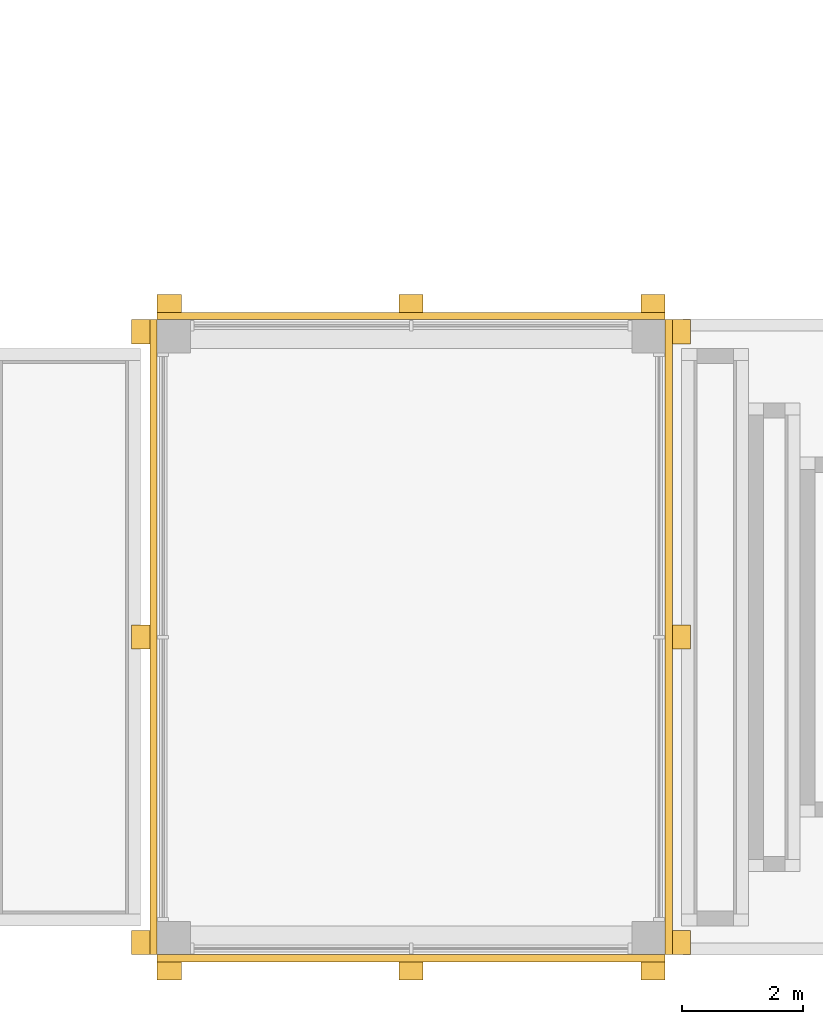
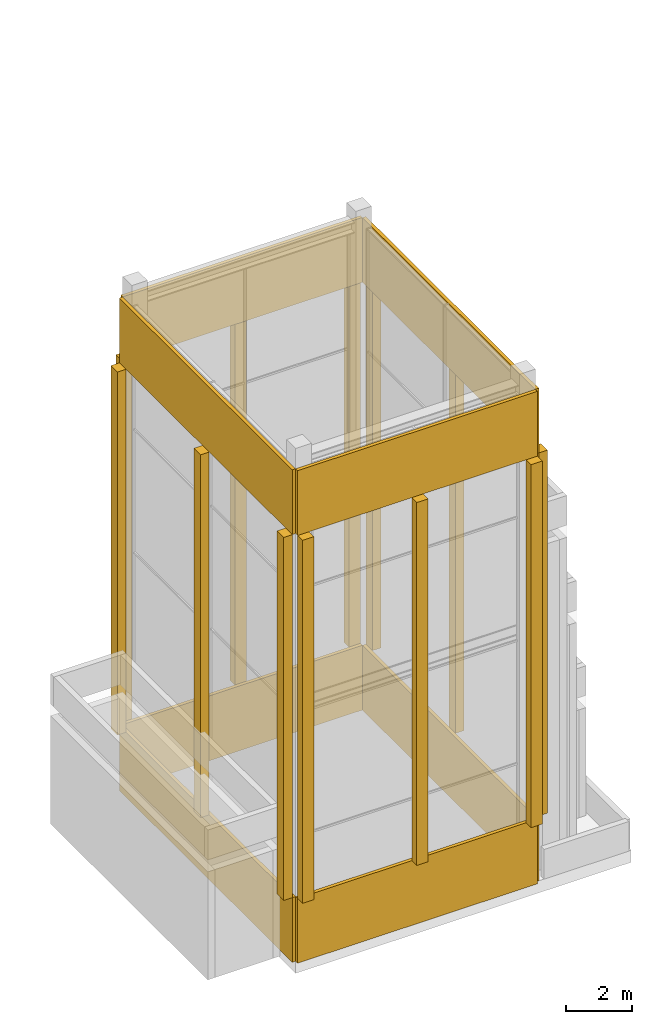
# One storey, part 4 of 4: 20 coverings.
"""IFC4 building model written with IfcOpenShell, lengths in metres."""

import ifcopenshell
import ifcopenshell.guid

model = None  # the IFC model being written
_history = None  # IfcOwnerHistory: only IFC2X3 demands one
_inside = {}  # id of a spatial element -> (the spatial element, [elements in it])
_under = {}  # id of a project, library or spatial element -> (it, [spatial elements below it])
_declared = {}  # id of a project -> (the project, [libraries it declares])
_typed = {}  # id of a type object -> (the type object, [elements of that type])
_made_of = {}  # id of a material, layer set ... -> (it, [elements and type objects made of it])


def new_model(schema):
    """Start an empty IFC model of exactly this schema.

    Asked for "IFC4X3", IfcOpenShell would pick the latest addendum, in which some entities
    have other attributes; the version numbers below select the first issue.
    IFC2X3 requires an IfcOwnerHistory on every rooted entity: one is made here for all.
    """
    global model, _history
    if schema == "IFC4X3":
        model = ifcopenshell.file(schema_version=(4, 3, 0, 0))
    else:
        model = ifcopenshell.file(schema=schema)
    _inside.clear()
    _under.clear()
    _declared.clear()
    _typed.clear()
    _made_of.clear()
    _history = None
    if model.schema == "IFC2X3":
        org = make("IfcOrganization", Name="unknown")
        user = make(
            "IfcPersonAndOrganization",
            ThePerson=make("IfcPerson", FamilyName="unknown"),
            TheOrganization=org,
        )
        app = make(
            "IfcApplication",
            ApplicationDeveloper=org,
            Version="unknown",
            ApplicationFullName="unknown",
            ApplicationIdentifier="unknown",
        )
        _history = make(
            "IfcOwnerHistory",
            OwningUser=user,
            OwningApplication=app,
            ChangeAction="ADDED",
            CreationDate=0,
        )
    return model


def make(cls, **values):
    """One entity of the class cls with the attributes given. An attribute that is None is left unset."""
    return model.create_entity(
        cls, **{name: value for name, value in values.items() if value is not None}
    )


def rooted(cls, **values):
    """An entity with a GlobalId (a new one), such as an element, a storey or a relation."""
    return make(cls, GlobalId=ifcopenshell.guid.new(), OwnerHistory=_history, **values)


def si_unit(unit_type, name, prefix=None):
    """IfcSIUnit, for example si_unit("LENGTHUNIT", "METRE", prefix="MILLI")."""
    return make("IfcSIUnit", UnitType=unit_type, Prefix=prefix, Name=name)


def assignment(units):
    """IfcUnitAssignment: the units of a project."""
    return None if units is None else make("IfcUnitAssignment", Units=units)


def point(xyz):
    """IfcCartesianPoint."""
    return None if xyz is None else make("IfcCartesianPoint", Coordinates=xyz)


def direction(xyz):
    """IfcDirection."""
    return None if xyz is None else make("IfcDirection", DirectionRatios=xyz)


def frame(location, z_axis=None, x_axis=None):
    """IfcAxis2Placement3D, a coordinate frame: its origin and axes. An axis left out is left unset."""
    return make(
        "IfcAxis2Placement3D",
        Location=point(location),
        Axis=direction(z_axis),
        RefDirection=direction(x_axis),
    )


def frame_2d(location, x_axis=None):
    """IfcAxis2Placement2D, a coordinate frame in the plane: its origin and x axis."""
    return make(
        "IfcAxis2Placement2D", Location=point(location), RefDirection=direction(x_axis)
    )


def origin():
    """The frame at (0, 0, 0) with its axes left unset."""
    return frame((0.0, 0.0, 0.0))


def origin_2d():
    """The frame at (0, 0) in the plane with its x axis left unset."""
    return frame_2d((0.0, 0.0))


def place(relative_to, where):
    """IfcLocalPlacement: puts the frame where relative to a parent placement (None: the world)."""
    return make(
        "IfcLocalPlacement", PlacementRelTo=relative_to, RelativePlacement=where
    )


def context(
    kind, dimensions, precision=None, world=None, true_north=None, identifier=None
):
    """IfcGeometricRepresentationContext, for example the 3D "Model" context."""
    return make(
        "IfcGeometricRepresentationContext",
        ContextIdentifier=identifier,
        ContextType=kind,
        CoordinateSpaceDimension=dimensions,
        Precision=precision,
        WorldCoordinateSystem=world,
        TrueNorth=true_north,
    )


def subcontext(parent, identifier, kind, view, scale=None):
    """IfcGeometricRepresentationSubContext, for example "Body" below "Model"."""
    return make(
        "IfcGeometricRepresentationSubContext",
        ContextIdentifier=identifier,
        ContextType=kind,
        ParentContext=parent,
        TargetScale=scale,
        TargetView=view,
    )


def project(units=None, contexts=None):
    """IfcProject with its units and contexts."""
    return rooted(
        "IfcProject",
        Name="project",
        RepresentationContexts=contexts,
        UnitsInContext=assignment(units),
    )


def spatial(cls, under=None, at=None, **own):
    """A site, building, storey or space (cls), placed at a placement, below another one or the project."""
    s = rooted(cls, ObjectPlacement=at, **own)
    if under is not None:
        _under.setdefault(under.id(), (under, []))[1].append(s)
    return s


def profile(cls, at=None, kind="AREA", **sizes):
    """A parametric profile (cls). Its sizes go by their IFC names, for example OverallWidth=200.0."""
    return make(cls, ProfileType=kind, Position=at, **sizes)


def rectangle(**sizes):
    """IfcRectangleProfileDef."""
    return profile("IfcRectangleProfileDef", **sizes)


def extrude(swept, where, along, depth):
    """IfcExtrudedAreaSolid: the profile swept, set in the frame where, extruded along a direction by depth."""
    return make(
        "IfcExtrudedAreaSolid",
        SweptArea=swept,
        Position=where,
        ExtrudedDirection=direction(along),
        Depth=depth,
    )


def shape(context_of_items, identifier, shape_type, items):
    """IfcShapeRepresentation: the items that make up one representation, for example the "Body"."""
    return make(
        "IfcShapeRepresentation",
        ContextOfItems=context_of_items,
        RepresentationIdentifier=identifier,
        RepresentationType=shape_type,
        Items=items,
    )


def source(mapping_origin, context_of_items, identifier, shape_type, items):
    """IfcRepresentationMap: a shape defined once, which mapped items show again and again."""
    return make(
        "IfcRepresentationMap",
        MappingOrigin=mapping_origin,
        MappedRepresentation=shape(context_of_items, identifier, shape_type, items),
    )


def transform(
    local_origin,
    x_axis=None,
    y_axis=None,
    z_axis=None,
    scale=None,
    scale2=None,
    scale3=None,
    uniform=True,
):
    """IfcCartesianTransformationOperator3D, or its non-uniform kind. x_axis, y_axis, z_axis: its Axis1, 2, 3."""
    if uniform:
        return make(
            "IfcCartesianTransformationOperator3D",
            Axis1=direction(x_axis),
            Axis2=direction(y_axis),
            LocalOrigin=point(local_origin),
            Scale=scale,
            Axis3=direction(z_axis),
        )
    return make(
        "IfcCartesianTransformationOperator3DnonUniform",
        Axis1=direction(x_axis),
        Axis2=direction(y_axis),
        LocalOrigin=point(local_origin),
        Scale=scale,
        Axis3=direction(z_axis),
        Scale2=scale2,
        Scale3=scale3,
    )


def mapped(mapping_source, mapping_target):
    """IfcMappedItem: shows the shape of a source again, moved by a transform."""
    return make(
        "IfcMappedItem", MappingSource=mapping_source, MappingTarget=mapping_target
    )


def material(Name=None, Category=None):
    """IfcMaterial."""
    return make("IfcMaterial", Name=Name, Category=Category)


def made_of(thing, what):
    """Note that an element or type object is made of a material, layer set ...; save() writes the relation."""
    if what is not None:
        _made_of.setdefault(what.id(), (what, []))[1].append(thing)
    return thing


def type_object(cls, material=None, **own):
    """A type object (cls), such as IfcWallType, which elements share."""
    return made_of(rooted(cls, **own), material)


def element(
    cls,
    number,
    at=None,
    inside=None,
    cuts=None,
    type_object=None,
    material=None,
    context=None,
    identifier="Body",
    shape_type=None,
    held_by="IfcProductDefinitionShape",
    body=None,
    shapes=None,
    **own,
):
    """One element of the class cls, such as IfcWall. Its Tag is "e" and its number.

    at: its placement. inside: the storey or other place that contains it. cuts: it is an
    opening in that element (IfcRelVoidsElement). A single representation is given by context,
    identifier, shape_type and body (its items); several are given by shapes. held_by: the class
    of the entity that holds the representations. save() writes the other relations.
    """
    e = rooted(cls, Tag="e%d" % number, ObjectPlacement=at, **own)
    if body is not None:
        shapes = [shape(context, identifier, shape_type, body)]
    if shapes is not None:
        e.Representation = make(held_by, Representations=shapes)
    if inside is not None:
        _inside.setdefault(inside.id(), (inside, []))[1].append(e)
    if cuts is not None:
        rooted(
            "IfcRelVoidsElement", RelatingBuildingElement=cuts, RelatedOpeningElement=e
        )
    if type_object is not None:
        _typed.setdefault(type_object.id(), (type_object, []))[1].append(e)
    return made_of(e, material)


def aggregate(whole, parts):
    """IfcRelAggregates: a whole, such as a stair, and the parts it consists of."""
    return rooted("IfcRelAggregates", RelatingObject=whole, RelatedObjects=parts)


def save(model, path):
    """Write the relations noted so far, then the file.

    IfcRelAggregates (storeys below a building ...), IfcRelContainedInSpatialStructure (elements
    in a storey), IfcRelDefinesByType, IfcRelAssociatesMaterial and IfcRelDeclares: one each for
    every whole, place, type object, material and project.
    """
    for whole, parts in _under.values():
        aggregate(whole, parts)
    for where, things in _inside.values():
        rooted(
            "IfcRelContainedInSpatialStructure",
            RelatedElements=things,
            RelatingStructure=where,
        )
    for kind, things in _typed.values():
        rooted("IfcRelDefinesByType", RelatedObjects=things, RelatingType=kind)
    for what, things in _made_of.values():
        rooted("IfcRelAssociatesMaterial", RelatedObjects=things, RelatingMaterial=what)
    for by, libraries in _declared.values():
        rooted("IfcRelDeclares", RelatingContext=by, RelatedDefinitions=libraries)
    model.write(path)


model = new_model("IFC4")

# Units and contexts
model_context = context("Model", 3, precision=1e-05, world=origin(), true_north=direction((0.0, 1.0)))
body_context = subcontext(model_context, "Body", "Model", "MODEL_VIEW")
ifc_project = project(units=[si_unit("LENGTHUNIT", "METRE"), si_unit("AREAUNIT", "SQUARE_METRE"), si_unit("VOLUMEUNIT", "CUBIC_METRE"), si_unit("PLANEANGLEUNIT", "RADIAN"), si_unit("MASSUNIT", "GRAM", prefix="KILO")], contexts=[model_context])

# Site, building, storey
site_placement = place(None, origin())
site = spatial("IfcSite", under=ifc_project, at=site_placement, CompositionType="ELEMENT")
building_placement = place(site_placement, origin())
building = spatial("IfcBuilding", under=site, at=building_placement, Name="Aurelian Terraces", CompositionType="ELEMENT")
storey_placement = place(building_placement, frame((0.0, 0.0, 384.5)))
storey = spatial("IfcBuildingStorey", under=building, at=storey_placement, Name="L92", CompositionType="ELEMENT", Elevation=384.5)

# Coverings
ifc_material_1 = material(Name="Terracotta rainscreen cladding relief", Category="masonry")
covering_type_1 = type_object("IfcCoveringType", Name="FIN-TC", PredefinedType="CLADDING", material=ifc_material_1)
covering_1_placement = place(storey_placement, frame((38.0, -0.27, 2.4), z_axis=(0.0, 0.0, 1.0), x_axis=(1.0, 0.0, 0.0)))
element("IfcCovering", 1, at=covering_1_placement, inside=storey, type_object=covering_type_1, Name="FIN crown L92 F01", PredefinedType="CLADDING", context=body_context, shape_type="SweptSolid", body=[
    extrude(rectangle(XDim=0.4, YDim=0.3, at=origin_2d()), origin(), (0.0, 0.0, 1.0), 13.45),
])
covering_2_placement = place(storey_placement, frame((46.47, 0.2, 2.4), z_axis=(0.0, 0.0, 1.0), x_axis=(1.0, 0.0, 0.0)))
element("IfcCovering", 2, at=covering_2_placement, inside=storey, type_object=covering_type_1, Name="FIN crown L92 F02", PredefinedType="CLADDING", context=body_context, shape_type="SweptSolid", body=[
    extrude(rectangle(XDim=0.3, YDim=0.4, at=origin_2d()), origin(), (0.0, 0.0, 1.0), 13.45),
])
ifc_material_2 = material(Name="Terracotta rainscreen cladding louvre blades", Category="masonry")
covering_type_2 = type_object("IfcCoveringType", Name="LOUVRE-TC", PredefinedType="CLADDING", material=ifc_material_2)
covering_3_placement = place(storey_placement, frame((42.0, -0.06, 0.0), z_axis=(0.0, 0.0, 1.0), x_axis=(1.0, 0.0, 0.0)))
element("IfcCovering", 3, at=covering_3_placement, inside=storey, type_object=covering_type_2, Name="LOUVRE L92 F01", PredefinedType="CLADDING", context=body_context, shape_type="SweptSolid", body=[
    extrude(rectangle(XDim=8.4, YDim=0.12, at=origin_2d()), origin(), (0.0, 0.0, 1.0), 2.4),
])
covering_4_placement = place(storey_placement, frame((46.26, 5.25, 0.0), z_axis=(0.0, 0.0, 1.0), x_axis=(1.0, 0.0, 0.0)))
element("IfcCovering", 4, at=covering_4_placement, inside=storey, type_object=covering_type_2, Name="LOUVRE L92 F02", PredefinedType="CLADDING", context=body_context, shape_type="SweptSolid", body=[
    extrude(rectangle(XDim=0.12, YDim=10.5, at=origin_2d()), origin(), (0.0, 0.0, 1.0), 2.4),
])
shared_shape_1 = source(origin(), body_context, "Body", "SweptSolid", [
    extrude(rectangle(XDim=8.4, YDim=0.12, at=origin_2d()), origin(), (0.0, 0.0, 1.0), 2.4),
])
for number, where, z_axis, x_axis, name in (
    (5, (42.0, -0.06, 15.85), (0.0, 0.0, 1.0), (1.0, 0.0, 0.0), "LOUVRE L92 F01"),
    (6, (42.0, 10.56, 0.0), (0.0, 0.0, 1.0), (1.0, 0.0, 0.0), "LOUVRE L92 F03"),
    (7, (42.0, 10.56, 15.85), (0.0, 0.0, 1.0), (1.0, 0.0, 0.0), "LOUVRE L92 F03"),
):
    element("IfcCovering", number, at=place(storey_placement, frame(where, z_axis=z_axis, x_axis=x_axis)), inside=storey, type_object=covering_type_2, Name=name, PredefinedType="CLADDING", context=body_context, shape_type="MappedRepresentation", body=[
        mapped(shared_shape_1, transform((0.0, 0.0, 0.0), scale=1.0)),
    ])
shared_shape_2 = source(origin(), body_context, "Body", "SweptSolid", [
    extrude(rectangle(XDim=0.4, YDim=0.3, at=origin_2d()), origin(), (0.0, 0.0, 1.0), 13.45),
])
for number, where, z_axis, x_axis, name in (
    (8, (42.0, -0.27, 2.4), (0.0, 0.0, 1.0), (1.0, 0.0, 0.0), "FIN crown L92 F01"),
    (9, (46.0, -0.27, 2.4), (0.0, 0.0, 1.0), (1.0, 0.0, 0.0), "FIN crown L92 F01"),
    (10, (46.0, 10.77, 2.4), (0.0, 0.0, 1.0), (1.0, 0.0, 0.0), "FIN crown L92 F03"),
    (11, (42.0, 10.77, 2.4), (0.0, 0.0, 1.0), (1.0, 0.0, 0.0), "FIN crown L92 F03"),
    (12, (38.0, 10.77, 2.4), (0.0, 0.0, 1.0), (1.0, 0.0, 0.0), "FIN crown L92 F03"),
):
    element("IfcCovering", number, at=place(storey_placement, frame(where, z_axis=z_axis, x_axis=x_axis)), inside=storey, type_object=covering_type_1, Name=name, PredefinedType="CLADDING", context=body_context, shape_type="MappedRepresentation", body=[
        mapped(shared_shape_2, transform((0.0, 0.0, 0.0), scale=1.0)),
    ])
shared_shape_3 = source(origin(), body_context, "Body", "SweptSolid", [
    extrude(rectangle(XDim=0.12, YDim=10.5, at=origin_2d()), origin(), (0.0, 0.0, 1.0), 2.4),
])
for number, where, z_axis, x_axis, name in (
    (13, (46.26, 5.25, 15.85), (0.0, 0.0, 1.0), (1.0, 0.0, 0.0), "LOUVRE L92 F02"),
    (14, (37.74, 5.25, 0.0), (0.0, 0.0, 1.0), (1.0, 0.0, 0.0), "LOUVRE L92 F04"),
    (15, (37.74, 5.25, 15.85), (0.0, 0.0, 1.0), (1.0, 0.0, 0.0), "LOUVRE L92 F04"),
):
    element("IfcCovering", number, at=place(storey_placement, frame(where, z_axis=z_axis, x_axis=x_axis)), inside=storey, type_object=covering_type_2, Name=name, PredefinedType="CLADDING", context=body_context, shape_type="MappedRepresentation", body=[
        mapped(shared_shape_3, transform((0.0, 0.0, 0.0), scale=1.0)),
    ])
shared_shape_4 = source(origin(), body_context, "Body", "SweptSolid", [
    extrude(rectangle(XDim=0.3, YDim=0.4, at=origin_2d()), origin(), (0.0, 0.0, 1.0), 13.45),
])
for number, where, z_axis, x_axis, name in (
    (16, (46.47, 5.25, 2.4), (0.0, 0.0, 1.0), (1.0, 0.0, 0.0), "FIN crown L92 F02"),
    (17, (46.47, 10.3, 2.4), (0.0, 0.0, 1.0), (1.0, 0.0, 0.0), "FIN crown L92 F02"),
    (18, (37.53, 10.3, 2.4), (0.0, 0.0, 1.0), (1.0, 0.0, 0.0), "FIN crown L92 F04"),
    (19, (37.53, 5.25, 2.4), (0.0, 0.0, 1.0), (1.0, 0.0, 0.0), "FIN crown L92 F04"),
    (20, (37.53, 0.2, 2.4), (0.0, 0.0, 1.0), (1.0, 0.0, 0.0), "FIN crown L92 F04"),
):
    element("IfcCovering", number, at=place(storey_placement, frame(where, z_axis=z_axis, x_axis=x_axis)), inside=storey, type_object=covering_type_1, Name=name, PredefinedType="CLADDING", context=body_context, shape_type="MappedRepresentation", body=[
        mapped(shared_shape_4, transform((0.0, 0.0, 0.0), scale=1.0)),
    ])

save(model, "model.ifc")
